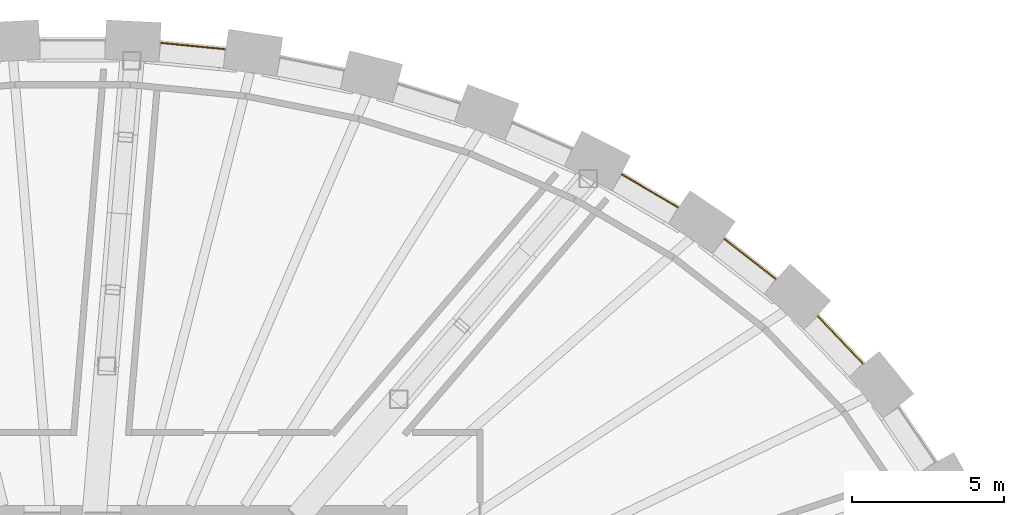
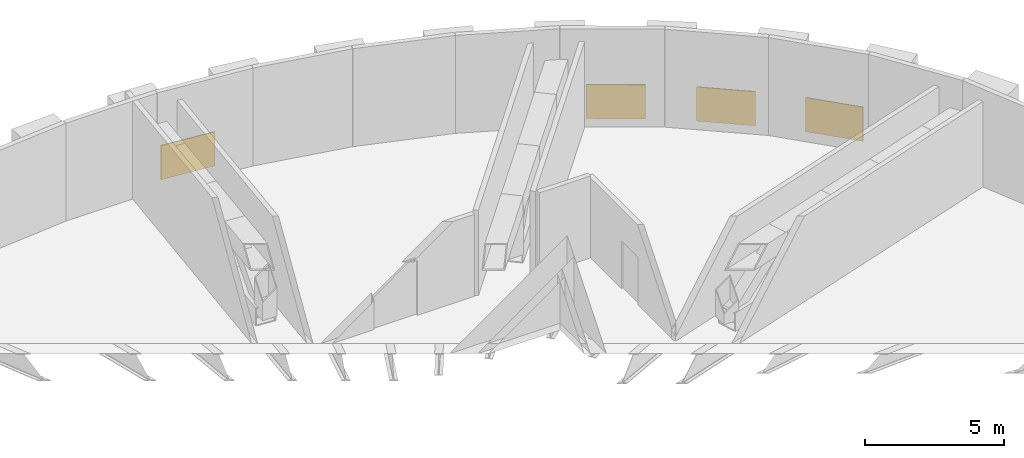
# One storey, part 12 of 12: 4 coverings.
"""IFC4 building model written with IfcOpenShell, lengths in metres."""

from ifc_helpers import new_model, si_unit, direction, frame, origin, origin_2d, place, context, subcontext, project, spatial, rectangle, extrude, source, transform, mapped, material, layer, layer_set, type_object, element, save


model = new_model("IFC4")

# Units and contexts
model_context = context("Model", 3, precision=1e-05, world=origin(), true_north=direction((0.0, 1.0)))
body_context = subcontext(model_context, "Body", "Model", "MODEL_VIEW")
ifc_project = project(units=[si_unit("LENGTHUNIT", "METRE"), si_unit("AREAUNIT", "SQUARE_METRE"), si_unit("VOLUMEUNIT", "CUBIC_METRE"), si_unit("PLANEANGLEUNIT", "RADIAN"), si_unit("MASSUNIT", "GRAM", prefix="KILO")], contexts=[model_context])

# Site, building, storey
site_placement = place(None, origin())
site = spatial("IfcSite", under=ifc_project, at=site_placement, CompositionType="ELEMENT")
building_placement = place(site_placement, origin())
building = spatial("IfcBuilding", under=site, at=building_placement, Name="Embergate Tower", CompositionType="ELEMENT")
storey_placement = place(building_placement, frame((0.0, 0.0, 289.0)))
storey = spatial("IfcBuildingStorey", under=building, at=storey_placement, Name="L67", CompositionType="ELEMENT", Elevation=289.0)

# Coverings
ifc_material = material(Name="Terracotta rainscreen on insulated backing", Category="masonry")
ifc_layer = layer(ifc_material, 0.0400390625)
ifc_layer_set = layer_set([ifc_layer], Name="Terracotta rainscreen on insulated backing")
covering_type = type_object("IfcCoveringType", Name="Terracotta rainscreen band", PredefinedType="CLADDING", material=ifc_layer_set)
shared_shape_1 = source(origin(), body_context, "Body", "SweptSolid", [
    extrude(rectangle(XDim=2.153076171875, YDim=0.0400390625, at=origin_2d()), origin(), (0.0, 0.0, 1.0), 1.5),
])
covering_1_placement = place(storey_placement, frame((25.24853515625, 14.44384765625, -0.75), z_axis=(0.0, 0.0, 1.0), x_axis=(-0.690188094231, 0.723630012217, 0.0)))
element("IfcCovering", 1, at=covering_1_placement, inside=storey, type_object=covering_type, Name="Rainscreen band 4", PredefinedType="CLADDING", context=body_context, shape_type="MappedRepresentation", body=[
    mapped(shared_shape_1, transform((0.0, 0.0, 0.0))),
])
shared_shape_2 = source(origin(), body_context, "Body", "SweptSolid", [
    extrude(rectangle(XDim=2.145263671875, YDim=0.0400390625, at=origin_2d()), origin(), (0.0, 0.0, 1.0), 1.5),
])
covering_2_placement = place(storey_placement, frame((22.27734375, 17.107177734375, -0.75), z_axis=(0.0, 0.0, 1.0), x_axis=(-0.788271793999, 0.615327212778, 0.0)))
element("IfcCovering", 2, at=covering_2_placement, inside=storey, type_object=covering_type, Name="Rainscreen band 5", PredefinedType="CLADDING", context=body_context, shape_type="MappedRepresentation", body=[
    mapped(shared_shape_2, transform((0.0, 0.0, 0.0))),
])
shared_shape_3 = source(origin(), body_context, "Body", "SweptSolid", [
    extrude(rectangle(XDim=2.142578125, YDim=0.0400390625, at=origin_2d()), origin(), (0.0, 0.0, 1.0), 1.5),
])
covering_3_placement = place(storey_placement, frame((18.984619140625, 19.345703125, -0.75), z_axis=(0.0, 0.0, 1.0), x_axis=(-0.862030168259, 0.50685697096, 0.0)))
element("IfcCovering", 3, at=covering_3_placement, inside=storey, type_object=covering_type, Name="Rainscreen band 6", PredefinedType="CLADDING", context=body_context, shape_type="MappedRepresentation", body=[
    mapped(shared_shape_3, transform((0.0, 0.0, 0.0))),
])
shared_shape_4 = source(origin(), body_context, "Body", "SweptSolid", [
    extrude(rectangle(XDim=2.13427734375, YDim=0.0400390625, at=origin_2d()), origin(), (0.0, 0.0, 1.0), 1.5),
])
covering_4_placement = place(storey_placement, frame((3.959228515625, 24.10693359375, -0.75), z_axis=(0.0, 0.0, 1.0), x_axis=(-0.995193618327, 0.097926819825, 0.0)))
element("IfcCovering", 4, at=covering_4_placement, inside=storey, type_object=covering_type, Name="Rainscreen band 10", PredefinedType="CLADDING", context=body_context, shape_type="MappedRepresentation", body=[
    mapped(shared_shape_4, transform((0.0, 0.0, 0.0))),
])

save(model, "model.ifc")
